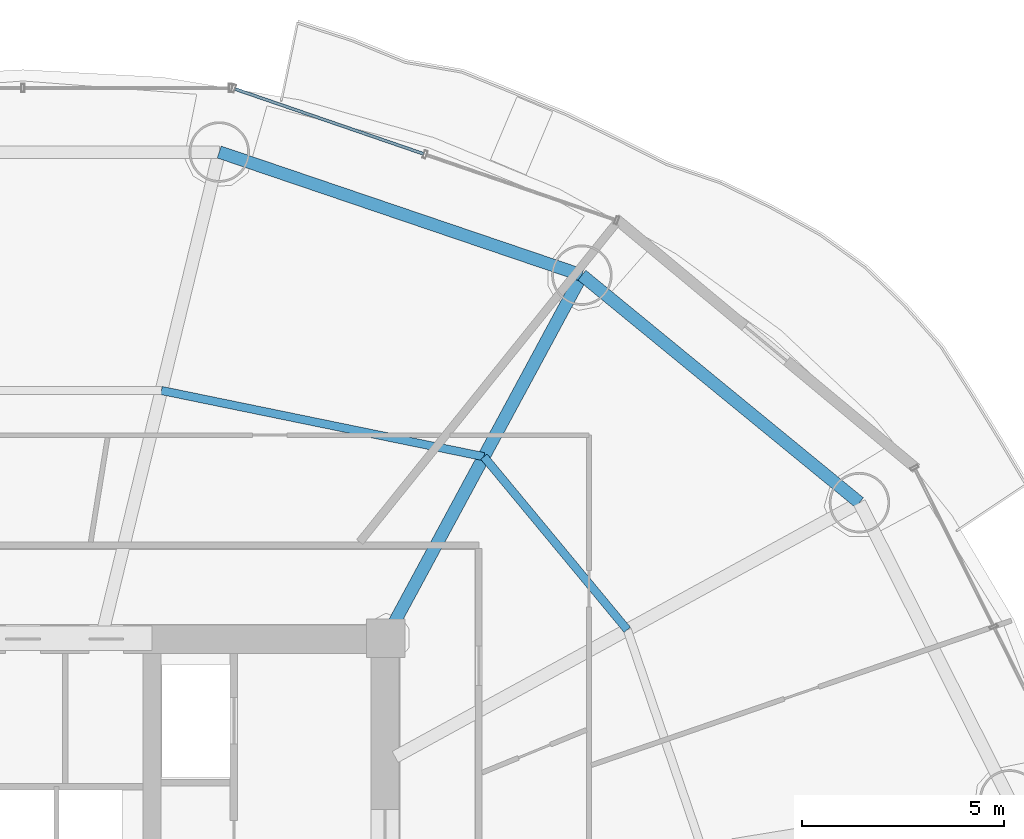
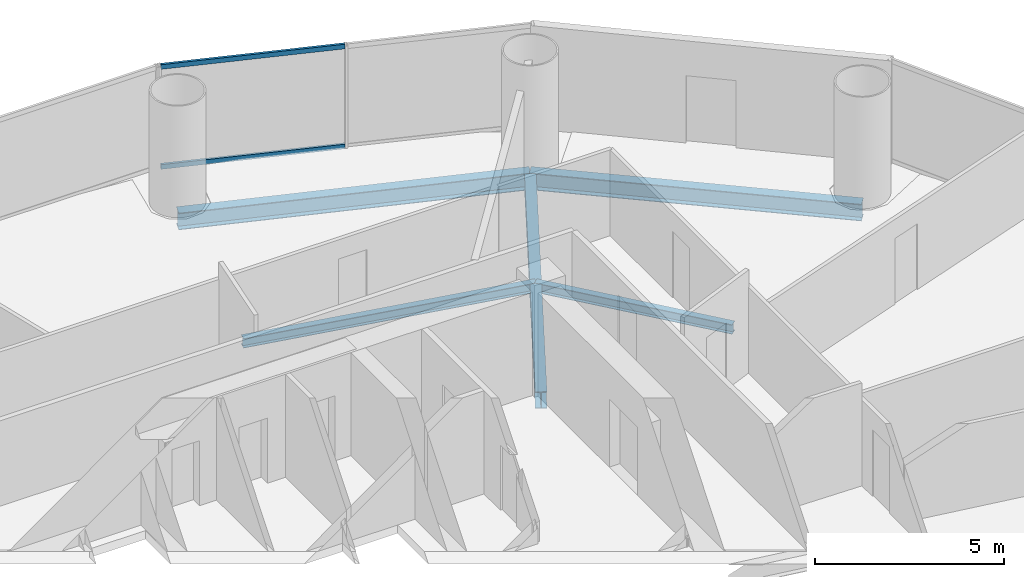
# One storey, part 19 of 29: 5 beams, 2 members, 1 element without a shape of its own.
"""IFC4 building model written with IfcOpenShell, lengths in metres."""

from ifc_helpers import new_model, si_unit, direction, frame, origin, origin_2d, place, context, subcontext, project, spatial, hollow_rectangle, i_section, extrude, source, transform, mapped, material, material_profile, profile_set, type_object, element, aggregate, save


model = new_model("IFC4")

# Units and contexts
model_context = context("Model", 3, precision=1e-05, world=origin(), true_north=direction((-0.2419218956, 0.970295726276)))
body_context = subcontext(model_context, "Body", "Model", "MODEL_VIEW")
ifc_project = project(units=[si_unit("LENGTHUNIT", "METRE"), si_unit("AREAUNIT", "SQUARE_METRE"), si_unit("VOLUMEUNIT", "CUBIC_METRE"), si_unit("PLANEANGLEUNIT", "RADIAN"), si_unit("MASSUNIT", "GRAM", prefix="KILO")], contexts=[model_context])

# Site, building, storey
site_placement = place(None, origin())
site = spatial("IfcSite", under=ifc_project, at=site_placement, CompositionType="ELEMENT")
building_placement = place(site_placement, origin())
building = spatial("IfcBuilding", under=site, at=building_placement, Name="Cobrevalo Terracotta Tower", CompositionType="ELEMENT")
storey_placement = place(building_placement, frame((0.0, 0.0, 115.800048828125)))
storey = spatial("IfcBuildingStorey", under=building, at=storey_placement, Name="L30", CompositionType="ELEMENT", Elevation=115.800048828125)

# Beams
ifc_material_1 = material(Name="Steel S355", Category="steel")
ifc_material_profile_1 = material_profile(ifc_material_1, i_section(OverallWidth=0.31201171875, OverallDepth=0.54296875, WebThickness=0.0126953125, FlangeThickness=0.020263671875, at=origin_2d()), Name="W 530x150")
ifc_profile_set_1 = profile_set([ifc_material_profile_1], Name="Steel S355")
beam_type_1 = type_object("IfcBeamType", Name="Structural Beam W 530x150 (Steel S355)", PredefinedType="BEAM", material=ifc_profile_set_1)
beam_1_placement = place(storey_placement, frame((51.861572265625, 43.803466796875, -0.546630859375), z_axis=(-0.475128224431, -0.879916570107, 0.0), x_axis=(0.879916570107, -0.475128224431, 0.0)))
element("IfcBeam", 1, at=beam_1_placement, inside=storey, type_object=beam_type_1, Name="L30 radial floor girder 03", PredefinedType="BEAM", context=body_context, shape_type="SweptSolid", body=[
    extrude(i_section(OverallWidth=0.31201171875, OverallDepth=0.54296875, WebThickness=0.0126953125, FlangeThickness=0.020263671875, at=origin_2d()), origin(), (0.0, 0.0, 1.0), 10.232177734375),
])
ifc_material_profile_2 = material_profile(ifc_material_1, i_section(OverallWidth=0.2041015625, OverallDepth=0.305908203125, WebThickness=0.008544921875, FlangeThickness=0.0146484375, at=origin_2d()), Name="W 310x67")
ifc_profile_set_2 = profile_set([ifc_material_profile_2], Name="Steel S355")
beam_type_2 = type_object("IfcBeamType", Name="Structural Joist W 310x67 (Steel S355)", PredefinedType="JOIST", material=ifc_profile_set_2)
beam_2_placement = place(storey_placement, frame((52.987548828125, 35.00830078125, -0.427978515625), z_axis=(-0.6379592588, 0.77007011636, 0.0), x_axis=(-0.77007011636, -0.6379592588, 0.0)))
element("IfcBeam", 2, at=beam_2_placement, inside=storey, type_object=beam_type_2, Name="L30 circumferential secondary floor joist 02", PredefinedType="JOIST", context=body_context, shape_type="SweptSolid", body=[
    extrude(i_section(OverallWidth=0.2041015625, OverallDepth=0.305908203125, WebThickness=0.008544921875, FlangeThickness=0.0146484375, at=origin_2d()), origin(), (0.0, 0.0, 1.0), 5.575439453125),
])
beam_3_placement = place(storey_placement, frame((49.4306640625, 39.3017578125, -0.427978515625), z_axis=(-0.979574469315, 0.201081722357, 0.0), x_axis=(-0.201081722357, -0.979574469315, 0.0)))
element("IfcBeam", 3, at=beam_3_placement, inside=storey, type_object=beam_type_2, Name="L30 circumferential secondary floor joist 03", PredefinedType="JOIST", context=body_context, shape_type="SweptSolid", body=[
    extrude(i_section(OverallWidth=0.2041015625, OverallDepth=0.305908203125, WebThickness=0.008544921875, FlangeThickness=0.0146484375, at=origin_2d()), origin(), (0.0, 0.0, 1.0), 8.1650390625),
])
ifc_material_profile_3 = material_profile(ifc_material_1, i_section(OverallWidth=0.31201171875, OverallDepth=0.54296875, WebThickness=0.0126953125, FlangeThickness=0.020263671875, at=origin_2d()), Name="W 530x150")
ifc_profile_set_3 = profile_set([ifc_material_profile_3], Name="Steel S355")
beam_type_3 = type_object("IfcBeamType", Name="Structural Spandrel W 530x150 (Steel S355)", PredefinedType="SPANDREL", material=ifc_profile_set_3)
beam_4_placement = place(storey_placement, frame((58.7451171875, 38.161376953125, -0.546630859375), z_axis=(-0.773400923541, 0.633917196064, 0.0), x_axis=(-0.633917196064, -0.773400923541, 0.0)))
element("IfcBeam", 4, at=beam_4_placement, inside=storey, type_object=beam_type_3, Name="L30 perimeter ring spandrel 02", PredefinedType="SPANDREL", context=body_context, shape_type="SweptSolid", body=[
    extrude(i_section(OverallWidth=0.31201171875, OverallDepth=0.54296875, WebThickness=0.0126953125, FlangeThickness=0.020263671875, at=origin_2d()), origin(), (0.0, 0.0, 1.0), 8.900390625),
])
beam_5_placement = place(storey_placement, frame((51.861572265625, 43.803466796875, -0.546630859375), z_axis=(-0.946910528816, 0.32149720126, 0.0), x_axis=(-0.32149720126, -0.946910528816, 0.0)))
element("IfcBeam", 5, at=beam_5_placement, inside=storey, type_object=beam_type_3, Name="L30 perimeter ring spandrel 03", PredefinedType="SPANDREL", context=body_context, shape_type="SweptSolid", body=[
    extrude(i_section(OverallWidth=0.31201171875, OverallDepth=0.54296875, WebThickness=0.0126953125, FlangeThickness=0.020263671875, at=origin_2d()), origin(), (0.0, 0.0, 1.0), 9.498291015625),
])

# Curtain wall, members
ifc_material_2 = material(Name="Anodized aluminium", Category="aluminium")
curtain_wall_type = type_object("IfcCurtainWallType", Name="Lower-tower unitised acoustic low-E curtain wall CW-U1", PredefinedType="NOTDEFINED", material=ifc_material_2)
curtain_wall_placement = place(storey_placement, origin())
curtain_wall = element("IfcCurtainWall", 6, at=curtain_wall_placement, inside=storey, type_object=curtain_wall_type, Name="L30 curtain wall CW-L30-S03", PredefinedType="NOTDEFINED")
ifc_material_profile_4 = material_profile(ifc_material_2, hollow_rectangle(XDim=0.074951171875, YDim=0.14990234375, WallThickness=0.00439453125, at=origin_2d()), Name="CWT 75x150")
ifc_profile_set_4 = profile_set([ifc_material_profile_4], Name="Anodized aluminium")
member_type = type_object("IfcMemberType", Name="Tower unitised aluminium transom 75x150", PredefinedType="USERDEFINED", material=ifc_profile_set_4)
shared_shape = source(origin(), body_context, "Body", "SweptSolid", [
    extrude(hollow_rectangle(XDim=0.074951171875, YDim=0.14990234375, WallThickness=0.00439453125, at=origin_2d()), origin(), (0.0, 0.0, 1.0), 4.944580078125),
])
member_1_placement = place(storey_placement, frame((47.934814453125, 46.811279296875, 0.050048828125), z_axis=(-0.945597859971, 0.32533780478, 0.0), x_axis=(-0.32533780478, -0.945597859971, 0.0)))
member_1 = element("IfcMember", 7, at=member_1_placement, type_object=member_type, Name="CW-L30-S03 transom B02-T1", ObjectType="TRANSOM", PredefinedType="USERDEFINED", context=body_context, shape_type="MappedRepresentation", body=[
    mapped(shared_shape, transform((0.0, 0.0, 0.0), scale=1.0)),
])
member_2_placement = place(storey_placement, frame((47.934814453125, 46.811279296875, 3.27490234375), z_axis=(-0.945597859971, 0.32533780478, 0.0), x_axis=(-0.32533780478, -0.945597859971, 0.0)))
member_2 = element("IfcMember", 8, at=member_2_placement, type_object=member_type, Name="CW-L30-S03 transom B02-T2", ObjectType="TRANSOM", PredefinedType="USERDEFINED", context=body_context, shape_type="MappedRepresentation", body=[
    mapped(shared_shape, transform((0.0, 0.0, 0.0), scale=1.0)),
])
aggregate(curtain_wall, [member_1, member_2])

save(model, "model.ifc")
